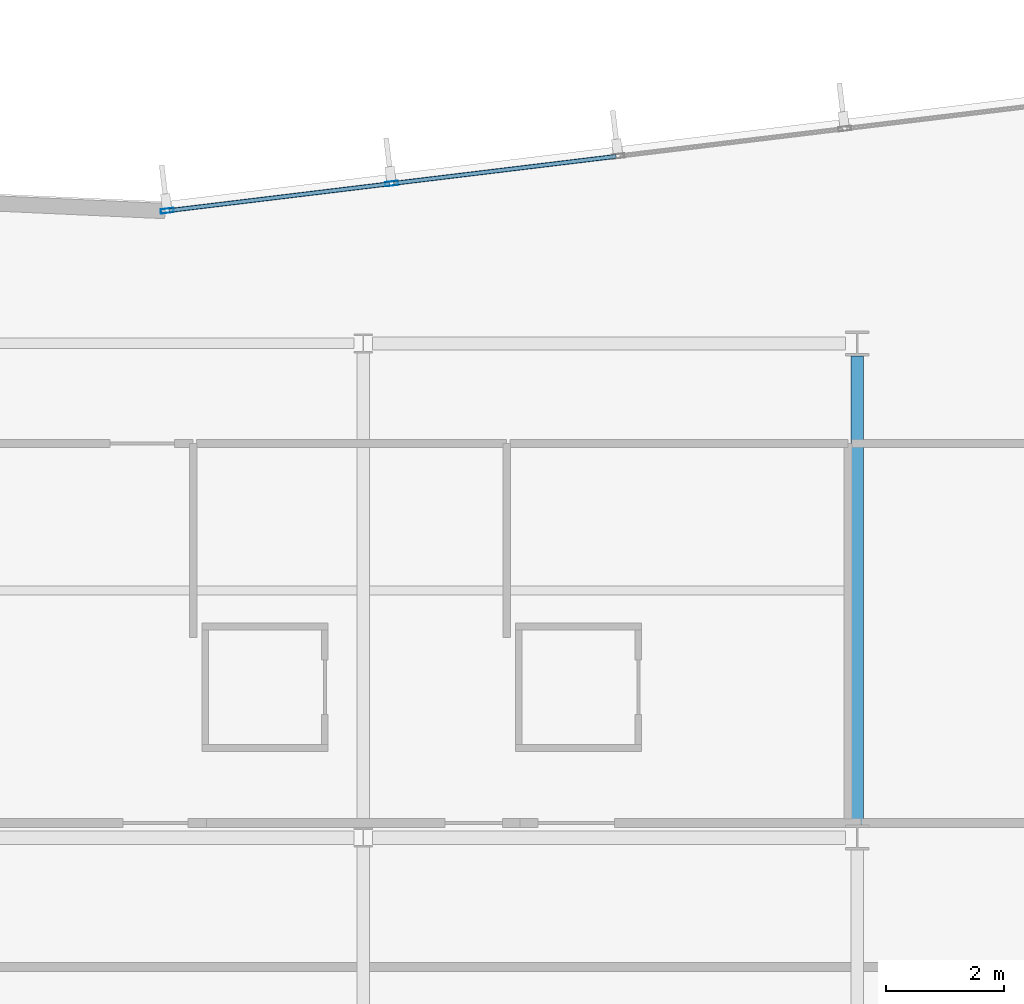
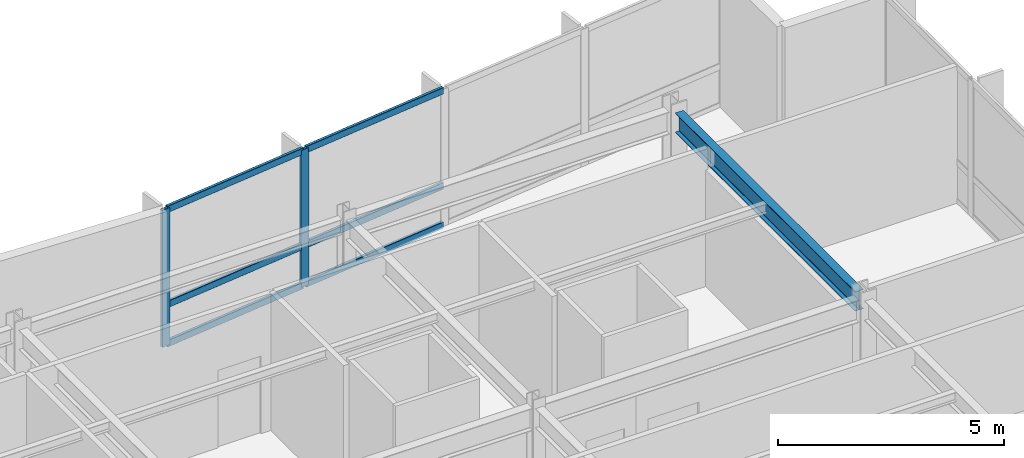
# One storey, part 7 of 18: 8 members, 1 beam, 1 element without a shape of its own.
"""IFC4 building model written with IfcOpenShell, lengths in metres."""

from ifc_helpers import new_model, si_unit, direction, frame, origin, origin_2d, place, context, subcontext, project, spatial, hollow_rectangle, i_section, extrude, material, layer, layer_set, material_profile, profile_set, type_object, element, aggregate, save


model = new_model("IFC4")

# Units and contexts
model_context = context("Model", 3, precision=1e-05, world=origin(), true_north=direction((0.0, 1.0)))
body_context = subcontext(model_context, "Body", "Model", "MODEL_VIEW")
ifc_project = project(units=[si_unit("LENGTHUNIT", "METRE"), si_unit("AREAUNIT", "SQUARE_METRE"), si_unit("VOLUMEUNIT", "CUBIC_METRE"), si_unit("PLANEANGLEUNIT", "RADIAN"), si_unit("MASSUNIT", "GRAM", prefix="KILO")], contexts=[model_context])

# Site, building, storey
site_placement = place(None, origin())
site = spatial("IfcSite", under=ifc_project, at=site_placement, CompositionType="ELEMENT")
building_placement = place(site_placement, origin())
building = spatial("IfcBuilding", under=site, at=building_placement, Name="Varnakote Quay Hospital", CompositionType="ELEMENT")
storey_placement = place(building_placement, frame((0.0, 0.0, 138.89990234375)))
storey = spatial("IfcBuildingStorey", under=building, at=storey_placement, Name="L34", CompositionType="ELEMENT", Elevation=138.89990234375)

# Beam
ifc_material_1 = material(Name="Structural steel AS/NZS 3679.1 Grade 350 L0 (fy 340 MPa)", Category="steel")
ifc_material_profile_1 = material_profile(ifc_material_1, i_section(OverallWidth=0.208984375, OverallDepth=0.532958984375, WebThickness=0.01025390625, FlangeThickness=0.015625, FilletRadius=0.013916015625, at=origin_2d()), Name="530UB92.4")
ifc_profile_set_1 = profile_set([ifc_material_profile_1], Name="Structural steel AS/NZS 3679.1 Grade 350 L0 (fy 340 MPa)")
beam_type = type_object("IfcBeamType", Name="BM-STL-530UB92-4", PredefinedType="BEAM", material=ifc_profile_set_1)
beam_placement = place(storey_placement, frame((50.39990234375, 20.610107421875, 3.443603515625), z_axis=(0.0, 1.0, 0.0), x_axis=(-1.0, 0.0, 0.0)))
element("IfcBeam", 1, at=beam_placement, inside=storey, type_object=beam_type, Name="L34 Primary Tie Beam", PredefinedType="BEAM", context=body_context, shape_type="SweptSolid", body=[
    extrude(i_section(OverallWidth=0.208984375, OverallDepth=0.532958984375, WebThickness=0.01025390625, FlangeThickness=0.015625, FilletRadius=0.013916015625, at=origin_2d()), origin(), (0.0, 0.0, 1.0), 7.97998046875),
])

# Curtain wall, members
ifc_material_2 = material(Name="Anodised aluminium 6063-T6 Bronze", Category="aluminium")
ifc_layer = layer(ifc_material_2, 0.205078125)
ifc_layer_set = layer_set([ifc_layer], Name="Anodised aluminium 6063-T6 Bronze")
curtain_wall_type = type_object("IfcCurtainWallType", Name="CW-SYS-3", PredefinedType="NOTDEFINED", material=ifc_layer_set)
curtain_wall_placement = place(storey_placement, origin())
curtain_wall = element("IfcCurtainWall", 2, at=curtain_wall_placement, inside=storey, type_object=curtain_wall_type, Name="L34 Unitised Bronze Curtain Wall 2", PredefinedType="NOTDEFINED")
ifc_material_3 = material(Name="Anodised aluminium 6063-T6 Bronze", Category="aluminium")
ifc_material_profile_2 = material_profile(ifc_material_3, hollow_rectangle(XDim=0.074951171875, YDim=0.219970703125, WallThickness=0.00439453125, InnerFilletRadius=0.00439453125, OuterFilletRadius=0.009033203125, at=origin_2d()), Name="CW-MULL-220x75")
ifc_profile_set_2 = profile_set([ifc_material_profile_2], Name="Anodised aluminium 6063-T6 Bronze")
member_type_1 = type_object("IfcMemberType", Name="CW-MULL-220x75", PredefinedType="MULLION", material=ifc_profile_set_2)
member_1_placement = place(storey_placement, frame((42.482666015625, 31.5185546875, 0.0), z_axis=(0.0, 0.0, 1.0), x_axis=(0.12032713492, -0.992734295067, 0.0)))
member_1 = element("IfcMember", 3, at=member_1_placement, type_object=member_type_1, Name="-3-L34-2 mullion 4", PredefinedType="MULLION", context=body_context, shape_type="SweptSolid", body=[
    extrude(hollow_rectangle(XDim=0.074951171875, YDim=0.219970703125, WallThickness=0.00439453125, InnerFilletRadius=0.00439453125, OuterFilletRadius=0.009033203125, at=origin_2d()), origin(), (0.0, 0.0, 1.0), 3.710205078125),
])
member_2_placement = place(storey_placement, frame((38.667236328125, 31.05615234375, 0.0), z_axis=(0.0, 0.0, 1.0), x_axis=(0.12032713492, -0.992734295067, 0.0)))
member_2 = element("IfcMember", 4, at=member_2_placement, type_object=member_type_1, Name="-3-L34-2 mullion 5", PredefinedType="MULLION", context=body_context, shape_type="SweptSolid", body=[
    extrude(hollow_rectangle(XDim=0.074951171875, YDim=0.219970703125, WallThickness=0.00439453125, InnerFilletRadius=0.00439453125, OuterFilletRadius=0.009033203125, at=origin_2d()), origin(), (0.0, 0.0, 1.0), 3.710205078125),
])
ifc_material_4 = material(Name="Anodised aluminium 6063-T6 Bronze", Category="aluminium")
ifc_material_profile_3 = material_profile(ifc_material_4, hollow_rectangle(XDim=0.074951171875, YDim=0.179931640625, WallThickness=0.004150390625, InnerFilletRadius=0.004150390625, OuterFilletRadius=0.00830078125, at=origin_2d()), Name="CW-TRAN-180x75")
ifc_profile_set_3 = profile_set([ifc_material_profile_3], Name="Anodised aluminium 6063-T6 Bronze")
member_type_2 = type_object("IfcMemberType", Name="CW-TRAN-180x75", PredefinedType="USERDEFINED", material=ifc_profile_set_3)
member_3_placement = place(storey_placement, frame((46.2978515625, 31.98095703125, 0.03759765625), z_axis=(-0.992731924158, -0.120346694005, 0.0), x_axis=(0.120346694005, -0.992731924158, 0.0)))
member_3 = element("IfcMember", 5, at=member_3_placement, type_object=member_type_2, Name="-3-L34-2 transom 3.1", ObjectType="TRANSOM", PredefinedType="USERDEFINED", context=body_context, shape_type="SweptSolid", body=[
    extrude(hollow_rectangle(XDim=0.074951171875, YDim=0.179931640625, WallThickness=0.004150390625, InnerFilletRadius=0.004150390625, OuterFilletRadius=0.00830078125, at=origin_2d()), origin(), (0.0, 0.0, 1.0), 3.8056640625),
])
member_4_placement = place(storey_placement, frame((46.2978515625, 31.98095703125, 1.10009765625), z_axis=(-0.992731924158, -0.120346694005, 0.0), x_axis=(0.120346694005, -0.992731924158, 0.0)))
member_4 = element("IfcMember", 6, at=member_4_placement, type_object=member_type_2, Name="-3-L34-2 transom 3.2", ObjectType="TRANSOM", PredefinedType="USERDEFINED", context=body_context, shape_type="SweptSolid", body=[
    extrude(hollow_rectangle(XDim=0.074951171875, YDim=0.179931640625, WallThickness=0.004150390625, InnerFilletRadius=0.004150390625, OuterFilletRadius=0.00830078125, at=origin_2d()), origin(), (0.0, 0.0, 1.0), 3.8056640625),
])
member_5_placement = place(storey_placement, frame((46.2978515625, 31.98095703125, 3.672607421875), z_axis=(-0.992731924158, -0.120346694005, 0.0), x_axis=(0.120346694005, -0.992731924158, 0.0)))
member_5 = element("IfcMember", 7, at=member_5_placement, type_object=member_type_2, Name="-3-L34-2 transom 3.3", ObjectType="TRANSOM", PredefinedType="USERDEFINED", context=body_context, shape_type="SweptSolid", body=[
    extrude(hollow_rectangle(XDim=0.074951171875, YDim=0.179931640625, WallThickness=0.004150390625, InnerFilletRadius=0.004150390625, OuterFilletRadius=0.00830078125, at=origin_2d()), origin(), (0.0, 0.0, 1.0), 3.8056640625),
])
member_6_placement = place(storey_placement, frame((42.4453125, 31.513916015625, 0.03759765625), z_axis=(-0.992735423717, -0.120317822859, 0.0), x_axis=(0.120317822859, -0.992735423717, 0.0)))
member_6 = element("IfcMember", 8, at=member_6_placement, type_object=member_type_2, Name="-3-L34-2 transom 4.1", ObjectType="TRANSOM", PredefinedType="USERDEFINED", context=body_context, shape_type="SweptSolid", body=[
    extrude(hollow_rectangle(XDim=0.074951171875, YDim=0.179931640625, WallThickness=0.004150390625, InnerFilletRadius=0.004150390625, OuterFilletRadius=0.00830078125, at=origin_2d()), origin(), (0.0, 0.0, 1.0), 3.76806640625),
])
member_7_placement = place(storey_placement, frame((42.4453125, 31.513916015625, 1.10009765625), z_axis=(-0.992735423717, -0.120317822859, 0.0), x_axis=(0.120317822859, -0.992735423717, 0.0)))
member_7 = element("IfcMember", 9, at=member_7_placement, type_object=member_type_2, Name="-3-L34-2 transom 4.2", ObjectType="TRANSOM", PredefinedType="USERDEFINED", context=body_context, shape_type="SweptSolid", body=[
    extrude(hollow_rectangle(XDim=0.074951171875, YDim=0.179931640625, WallThickness=0.004150390625, InnerFilletRadius=0.004150390625, OuterFilletRadius=0.00830078125, at=origin_2d()), origin(), (0.0, 0.0, 1.0), 3.76806640625),
])
member_8_placement = place(storey_placement, frame((42.4453125, 31.513916015625, 3.672607421875), z_axis=(-0.992735423717, -0.120317822859, 0.0), x_axis=(0.120317822859, -0.992735423717, 0.0)))
member_8 = element("IfcMember", 10, at=member_8_placement, type_object=member_type_2, Name="-3-L34-2 transom 4.3", ObjectType="TRANSOM", PredefinedType="USERDEFINED", context=body_context, shape_type="SweptSolid", body=[
    extrude(hollow_rectangle(XDim=0.074951171875, YDim=0.179931640625, WallThickness=0.004150390625, InnerFilletRadius=0.004150390625, OuterFilletRadius=0.00830078125, at=origin_2d()), origin(), (0.0, 0.0, 1.0), 3.76806640625),
])
aggregate(curtain_wall, [member_1, member_2, member_3, member_4, member_5, member_6, member_7, member_8])

save(model, "model.ifc")
